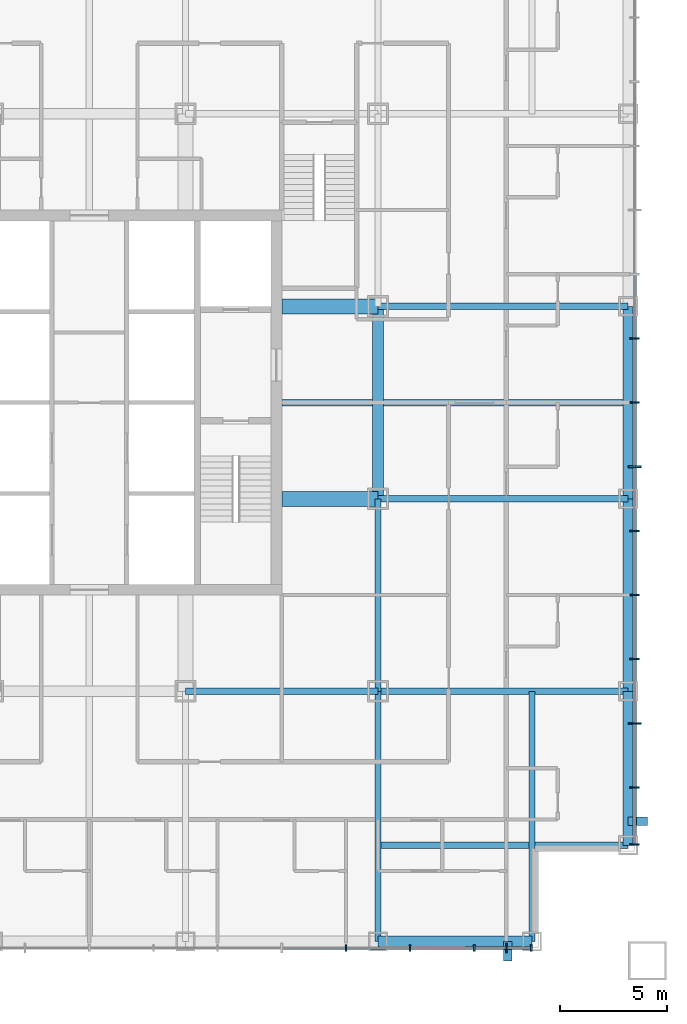
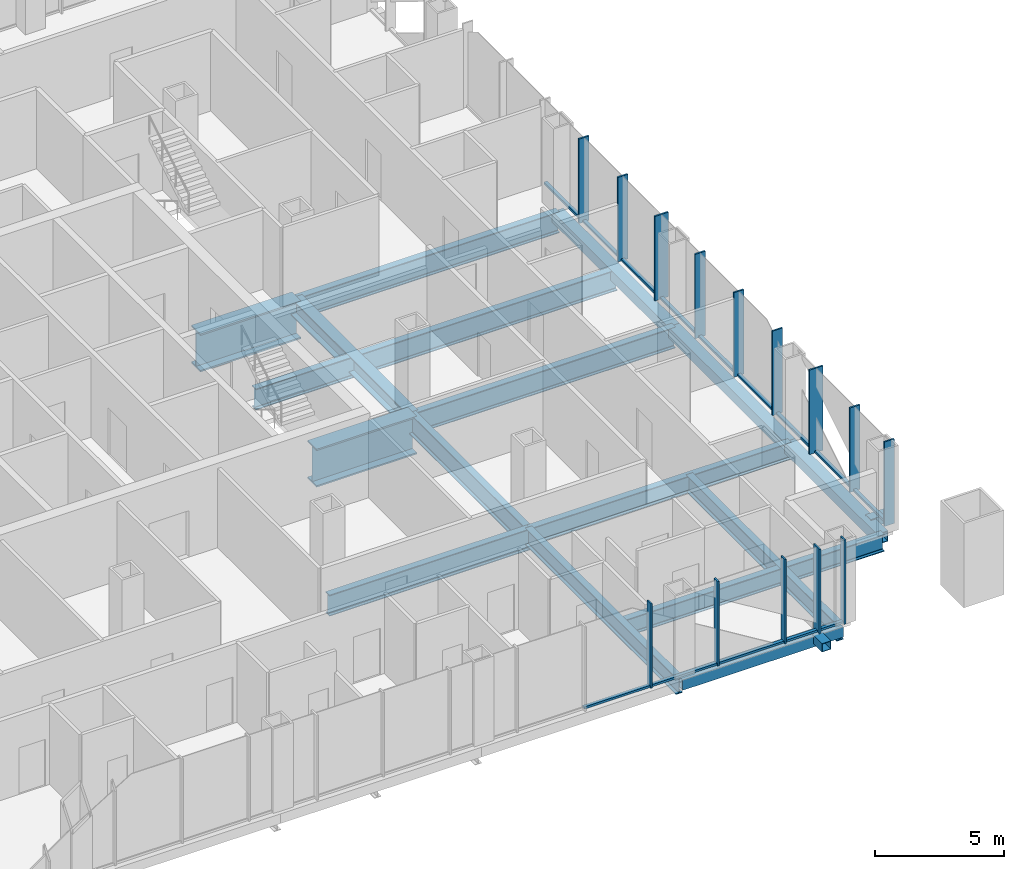
# One storey, part 3 of 13: 30 members, 16 beams, 2 elements without a shape of their own.
"""IFC4 building model written with IfcOpenShell, lengths in metres."""

from ifc_helpers import new_model, si_unit, direction, frame, origin, origin_2d, place, context, subcontext, project, spatial, rectangle, hollow_rectangle, i_section, extrude, material, layer, layer_set, material_profile, profile_set, type_object, element, aggregate, save


model = new_model("IFC4")

# Units and contexts
model_context = context("Model", 3, precision=1e-05, world=origin(), true_north=direction((0.0, 1.0)))
body_context = subcontext(model_context, "Body", "Model", "MODEL_VIEW")
ifc_project = project(units=[si_unit("LENGTHUNIT", "METRE"), si_unit("AREAUNIT", "SQUARE_METRE"), si_unit("VOLUMEUNIT", "CUBIC_METRE"), si_unit("PLANEANGLEUNIT", "RADIAN"), si_unit("MASSUNIT", "GRAM", prefix="KILO")], contexts=[model_context])

# Site, building, storey
site_placement = place(None, origin())
site = spatial("IfcSite", under=ifc_project, at=site_placement, CompositionType="ELEMENT")
building_placement = place(site_placement, origin())
building = spatial("IfcBuilding", under=site, at=building_placement, Name="Malebo Sky Hospital", CompositionType="ELEMENT")
storey_placement = place(building_placement, frame((0.0, 0.0, 35.0)))
storey = spatial("IfcBuildingStorey", under=building, at=storey_placement, Name="L07", CompositionType="ELEMENT", Elevation=35.0)

# Curtain wall, members
ifc_material_1 = material(Name="Anodised aluminium, natural silver", Category="aluminium")
ifc_layer_1 = layer(ifc_material_1, 0.25)
ifc_layer_set_1 = layer_set([ifc_layer_1], Name="WARD CURTAIN WALL NORTH AND SOUTH")
curtain_wall_type_1 = type_object("IfcCurtainWallType", Name="WARD CURTAIN WALL NORTH AND SOUTH", PredefinedType="NOTDEFINED", material=ifc_layer_set_1)
curtain_wall_1_placement = place(storey_placement, origin())
curtain_wall_1 = element("IfcCurtainWall", 1, at=curtain_wall_1_placement, inside=storey, type_object=curtain_wall_type_1, Name="NS curtain wall S", PredefinedType="NOTDEFINED")
ifc_material_profile_1 = material_profile(ifc_material_1, rectangle(XDim=0.14990234375, YDim=0.10009765625, at=origin_2d()), Name="ALUMINIUM TRANSOM 150x100")
ifc_profile_set_1 = profile_set([ifc_material_profile_1], Name="Anodised aluminium, natural silver")
member_type_1 = type_object("IfcMemberType", Name="ALUMINIUM TRANSOM 150x100", PredefinedType="USERDEFINED", material=ifc_profile_set_1)
member_1_placement = place(storey_placement, frame((80.625, 36.5, 0.050048828125), z_axis=(-1.0, 0.0, 0.0), x_axis=(0.0, -1.0, 0.0)))
member_1 = element("IfcMember", 2, at=member_1_placement, type_object=member_type_1, Name="Transom 1", ObjectType="TRANSOM", PredefinedType="USERDEFINED", context=body_context, shape_type="SweptSolid", body=[
    extrude(rectangle(XDim=0.14990234375, YDim=0.10009765625, at=origin_2d()), origin(), (0.0, 0.0, 1.0), 1.08740234375),
])
member_2_placement = place(storey_placement, frame((79.46240234375, 36.5, 0.050048828125), z_axis=(-1.0, 0.0, 0.0), x_axis=(0.0, -1.0, 0.0)))
member_2 = element("IfcMember", 3, at=member_2_placement, type_object=member_type_1, Name="Transom 2", ObjectType="TRANSOM", PredefinedType="USERDEFINED", context=body_context, shape_type="SweptSolid", body=[
    extrude(rectangle(XDim=0.14990234375, YDim=0.10009765625, at=origin_2d()), origin(), (0.0, 0.0, 1.0), 1.4248046875),
])
member_3_placement = place(storey_placement, frame((77.96240234375, 36.5, 0.050048828125), z_axis=(-1.0, 0.0, 0.0), x_axis=(0.0, -1.0, 0.0)))
member_3 = element("IfcMember", 4, at=member_3_placement, type_object=member_type_1, Name="Transom 3", ObjectType="TRANSOM", PredefinedType="USERDEFINED", context=body_context, shape_type="SweptSolid", body=[
    extrude(rectangle(XDim=0.14990234375, YDim=0.10009765625, at=origin_2d()), origin(), (0.0, 0.0, 1.0), 2.9248046875),
])
member_4_placement = place(storey_placement, frame((74.96240234375, 36.5, 0.050048828125), z_axis=(-1.0, 0.0, 0.0), x_axis=(0.0, -1.0, 0.0)))
member_4 = element("IfcMember", 5, at=member_4_placement, type_object=member_type_1, Name="Transom 4", ObjectType="TRANSOM", PredefinedType="USERDEFINED", context=body_context, shape_type="SweptSolid", body=[
    extrude(rectangle(XDim=0.14990234375, YDim=0.10009765625, at=origin_2d()), origin(), (0.0, 0.0, 1.0), 2.9248046875),
])
member_5_placement = place(storey_placement, frame((71.96240234375, 36.5, 0.050048828125), z_axis=(-1.0, 0.0, 0.0), x_axis=(0.0, -1.0, 0.0)))
member_5 = element("IfcMember", 6, at=member_5_placement, type_object=member_type_1, Name="Transom 5", ObjectType="TRANSOM", PredefinedType="USERDEFINED", context=body_context, shape_type="SweptSolid", body=[
    extrude(rectangle(XDim=0.14990234375, YDim=0.10009765625, at=origin_2d()), origin(), (0.0, 0.0, 1.0), 2.9248046875),
])

ifc_layer_2 = layer(ifc_material_1, 0.25)
ifc_layer_set_2 = layer_set([ifc_layer_2], Name="WARD CURTAIN WALL EAST AND WEST")
curtain_wall_type_2 = type_object("IfcCurtainWallType", Name="WARD CURTAIN WALL EAST AND WEST", PredefinedType="NOTDEFINED", material=ifc_layer_set_2)
curtain_wall_2_placement = place(storey_placement, origin())
curtain_wall_2 = element("IfcCurtainWall", 7, at=curtain_wall_2_placement, inside=storey, type_object=curtain_wall_type_2, Name="EW curtain wall E", PredefinedType="NOTDEFINED")
member_6_placement = place(storey_placement, frame((85.5, 67.96240234375, 0.050048828125), z_axis=(0.0, -1.0, 0.0), x_axis=(1.0, 0.0, 0.0)))
member_6 = element("IfcMember", 8, at=member_6_placement, type_object=member_type_1, Name="Transom 7", ObjectType="TRANSOM", PredefinedType="USERDEFINED", context=body_context, shape_type="SweptSolid", body=[
    extrude(rectangle(XDim=0.14990234375, YDim=0.10009765625, at=origin_2d()), origin(), (0.0, 0.0, 1.0), 2.9248046875),
])
member_7_placement = place(storey_placement, frame((85.5, 64.96240234375, 0.050048828125), z_axis=(0.0, -1.0, 0.0), x_axis=(1.0, 0.0, 0.0)))
member_7 = element("IfcMember", 9, at=member_7_placement, type_object=member_type_1, Name="Transom 8", ObjectType="TRANSOM", PredefinedType="USERDEFINED", context=body_context, shape_type="SweptSolid", body=[
    extrude(rectangle(XDim=0.14990234375, YDim=0.10009765625, at=origin_2d()), origin(), (0.0, 0.0, 1.0), 2.9248046875),
])
member_8_placement = place(storey_placement, frame((85.5, 61.96240234375, 0.050048828125), z_axis=(0.0, -1.0, 0.0), x_axis=(1.0, 0.0, 0.0)))
member_8 = element("IfcMember", 10, at=member_8_placement, type_object=member_type_1, Name="Transom 9", ObjectType="TRANSOM", PredefinedType="USERDEFINED", context=body_context, shape_type="SweptSolid", body=[
    extrude(rectangle(XDim=0.14990234375, YDim=0.10009765625, at=origin_2d()), origin(), (0.0, 0.0, 1.0), 2.9248046875),
])
member_9_placement = place(storey_placement, frame((85.5, 58.96240234375, 0.050048828125), z_axis=(0.0, -1.0, 0.0), x_axis=(1.0, 0.0, 0.0)))
member_9 = element("IfcMember", 11, at=member_9_placement, type_object=member_type_1, Name="Transom 10", ObjectType="TRANSOM", PredefinedType="USERDEFINED", context=body_context, shape_type="SweptSolid", body=[
    extrude(rectangle(XDim=0.14990234375, YDim=0.10009765625, at=origin_2d()), origin(), (0.0, 0.0, 1.0), 2.9248046875),
])
member_10_placement = place(storey_placement, frame((85.5, 55.96240234375, 0.050048828125), z_axis=(0.0, -1.0, 0.0), x_axis=(1.0, 0.0, 0.0)))
member_10 = element("IfcMember", 12, at=member_10_placement, type_object=member_type_1, Name="Transom 11", ObjectType="TRANSOM", PredefinedType="USERDEFINED", context=body_context, shape_type="SweptSolid", body=[
    extrude(rectangle(XDim=0.14990234375, YDim=0.10009765625, at=origin_2d()), origin(), (0.0, 0.0, 1.0), 2.9248046875),
])
member_11_placement = place(storey_placement, frame((85.5, 52.96240234375, 0.050048828125), z_axis=(0.0, -1.0, 0.0), x_axis=(1.0, 0.0, 0.0)))
member_11 = element("IfcMember", 13, at=member_11_placement, type_object=member_type_1, Name="Transom 12", ObjectType="TRANSOM", PredefinedType="USERDEFINED", context=body_context, shape_type="SweptSolid", body=[
    extrude(rectangle(XDim=0.14990234375, YDim=0.10009765625, at=origin_2d()), origin(), (0.0, 0.0, 1.0), 2.9248046875),
])
member_12_placement = place(storey_placement, frame((85.5, 49.96240234375, 0.050048828125), z_axis=(0.0, -1.0, 0.0), x_axis=(1.0, 0.0, 0.0)))
member_12 = element("IfcMember", 14, at=member_12_placement, type_object=member_type_1, Name="Transom 13", ObjectType="TRANSOM", PredefinedType="USERDEFINED", context=body_context, shape_type="SweptSolid", body=[
    extrude(rectangle(XDim=0.14990234375, YDim=0.10009765625, at=origin_2d()), origin(), (0.0, 0.0, 1.0), 2.9248046875),
])
member_13_placement = place(storey_placement, frame((85.5, 46.96240234375, 0.050048828125), z_axis=(0.0, -1.0, 0.0), x_axis=(1.0, 0.0, 0.0)))
member_13 = element("IfcMember", 15, at=member_13_placement, type_object=member_type_1, Name="Transom 14", ObjectType="TRANSOM", PredefinedType="USERDEFINED", context=body_context, shape_type="SweptSolid", body=[
    extrude(rectangle(XDim=0.14990234375, YDim=0.10009765625, at=origin_2d()), origin(), (0.0, 0.0, 1.0), 2.9248046875),
])
member_14_placement = place(storey_placement, frame((85.5, 43.96240234375, 0.050048828125), z_axis=(0.0, -1.0, 0.0), x_axis=(1.0, 0.0, 0.0)))
member_14 = element("IfcMember", 16, at=member_14_placement, type_object=member_type_1, Name="Transom 15", ObjectType="TRANSOM", PredefinedType="USERDEFINED", context=body_context, shape_type="SweptSolid", body=[
    extrude(rectangle(XDim=0.14990234375, YDim=0.10009765625, at=origin_2d()), origin(), (0.0, 0.0, 1.0), 2.58740234375),
])

# Members
ifc_material_2 = material(Name="Steel S355", Category="steel")
ifc_material_profile_2 = material_profile(ifc_material_2, hollow_rectangle(XDim=0.39990234375, YDim=0.39990234375, WallThickness=0.02001953125, at=origin_2d()), Name="SHS 400x20")
ifc_profile_set_2 = profile_set([ifc_material_profile_2], Name="Steel S355")
member_type_2 = type_object("IfcMemberType", Name="BRACE STRUT SHS 400x20", PredefinedType="STRUT", material=ifc_profile_set_2)
for number, where, z_axis, x_axis, name in (
    (17, (79.574951171875, 35.89990234375, -0.39990234375), (0.0, 1.0, 0.0), (-1.0, 0.0, 0.0), "Brace strut AS2 L07"),
    (18, (86.10009765625, 42.425048828125, -0.39990234375), (-1.0, 0.0, 0.0), (0.0, -1.0, 0.0), "Brace strut AE1 L07"),
):
    element("IfcMember", number, at=place(storey_placement, frame(where, z_axis=z_axis, x_axis=x_axis)), inside=storey, type_object=member_type_2, Name=name, PredefinedType="STRUT", context=body_context, shape_type="SweptSolid", body=[
        extrude(hollow_rectangle(XDim=0.39990234375, YDim=0.39990234375, WallThickness=0.02001953125, at=origin_2d()), origin(), (0.0, 0.0, 1.0), 0.900146484375),
    ])

# Member
ifc_material_profile_3 = material_profile(ifc_material_1, rectangle(XDim=0.074951171875, YDim=0.300048828125, at=origin_2d()), Name="CW1 ALUMINIUM FIN MULLION 75x300")
ifc_profile_set_3 = profile_set([ifc_material_profile_3], Name="Anodised aluminium, natural silver")
member_type_3 = type_object("IfcMemberType", Name="CW1 ALUMINIUM FIN MULLION 75x300", PredefinedType="MULLION", material=ifc_profile_set_3)
member_15_placement = place(storey_placement, frame((80.66259765625, 36.5, 0.0), z_axis=(0.0, 0.0, 1.0), x_axis=(-1.0, 0.0, 0.0)))
member_15 = element("IfcMember", 19, at=member_15_placement, type_object=member_type_3, Name="Fin mullion 1", PredefinedType="MULLION", context=body_context, shape_type="SweptSolid", body=[
    extrude(rectangle(XDim=0.074951171875, YDim=0.300048828125, at=origin_2d()), origin(), (0.0, 0.0, 1.0), 4.0),
])

member_16_placement = place(storey_placement, frame((78.0, 36.5, 0.0), z_axis=(0.0, 0.0, 1.0), x_axis=(-1.0, 0.0, 0.0)))
member_16 = element("IfcMember", 20, at=member_16_placement, type_object=member_type_3, Name="Fin mullion 3", PredefinedType="MULLION", context=body_context, shape_type="SweptSolid", body=[
    extrude(rectangle(XDim=0.074951171875, YDim=0.300048828125, at=origin_2d()), origin(), (0.0, 0.0, 1.0), 4.0),
])

member_17_placement = place(storey_placement, frame((75.0, 36.5, 0.0), z_axis=(0.0, 0.0, 1.0), x_axis=(-1.0, 0.0, 0.0)))
member_17 = element("IfcMember", 21, at=member_17_placement, type_object=member_type_3, Name="Fin mullion 4", PredefinedType="MULLION", context=body_context, shape_type="SweptSolid", body=[
    extrude(rectangle(XDim=0.074951171875, YDim=0.300048828125, at=origin_2d()), origin(), (0.0, 0.0, 1.0), 4.0),
])

member_18_placement = place(storey_placement, frame((72.0, 36.5, 0.0), z_axis=(0.0, 0.0, 1.0), x_axis=(-1.0, 0.0, 0.0)))
member_18 = element("IfcMember", 22, at=member_18_placement, type_object=member_type_3, Name="Fin mullion 5", PredefinedType="MULLION", context=body_context, shape_type="SweptSolid", body=[
    extrude(rectangle(XDim=0.074951171875, YDim=0.300048828125, at=origin_2d()), origin(), (0.0, 0.0, 1.0), 4.0),
])

ifc_material_profile_4 = material_profile(ifc_material_1, rectangle(XDim=0.074951171875, YDim=0.449951171875, at=origin_2d()), Name="CW1 ALUMINIUM FIN MULLION 75x450")
ifc_profile_set_4 = profile_set([ifc_material_profile_4], Name="Anodised aluminium, natural silver")
member_type_4 = type_object("IfcMemberType", Name="CW1 ALUMINIUM FIN MULLION 75x450", PredefinedType="MULLION", material=ifc_profile_set_4)
member_19_placement = place(storey_placement, frame((79.5, 36.5, 0.0), z_axis=(0.0, 0.0, 1.0), x_axis=(-1.0, 0.0, 0.0)))
member_19 = element("IfcMember", 23, at=member_19_placement, type_object=member_type_4, Name="Fin mullion 2", PredefinedType="MULLION", context=body_context, shape_type="SweptSolid", body=[
    extrude(rectangle(XDim=0.074951171875, YDim=0.449951171875, at=origin_2d()), origin(), (0.0, 0.0, 1.0), 4.0),
])

aggregate(curtain_wall_1, [member_15, member_19, member_16, member_17, member_18, member_1, member_2, member_3, member_4, member_5])

ifc_material_profile_5 = material_profile(ifc_material_1, rectangle(XDim=0.074951171875, YDim=0.449951171875, at=origin_2d()), Name="CW2 ALUMINIUM FIN MULLION 75x450")
ifc_profile_set_5 = profile_set([ifc_material_profile_5], Name="Anodised aluminium, natural silver")
member_type_5 = type_object("IfcMemberType", Name="CW2 ALUMINIUM FIN MULLION 75x450", PredefinedType="MULLION", material=ifc_profile_set_5)
member_20_placement = place(storey_placement, frame((85.5, 65.0, 0.0), z_axis=(0.0, 0.0, 1.0), x_axis=(0.0, -1.0, 0.0)))
member_20 = element("IfcMember", 24, at=member_20_placement, type_object=member_type_5, Name="Fin mullion 8", PredefinedType="MULLION", context=body_context, shape_type="SweptSolid", body=[
    extrude(rectangle(XDim=0.074951171875, YDim=0.449951171875, at=origin_2d()), origin(), (0.0, 0.0, 1.0), 4.0),
])

member_21_placement = place(storey_placement, frame((85.5, 62.0, 0.0), z_axis=(0.0, 0.0, 1.0), x_axis=(0.0, -1.0, 0.0)))
member_21 = element("IfcMember", 25, at=member_21_placement, type_object=member_type_5, Name="Fin mullion 9", PredefinedType="MULLION", context=body_context, shape_type="SweptSolid", body=[
    extrude(rectangle(XDim=0.074951171875, YDim=0.449951171875, at=origin_2d()), origin(), (0.0, 0.0, 1.0), 4.0),
])

member_22_placement = place(storey_placement, frame((85.5, 56.0, 0.0), z_axis=(0.0, 0.0, 1.0), x_axis=(0.0, -1.0, 0.0)))
member_22 = element("IfcMember", 26, at=member_22_placement, type_object=member_type_5, Name="Fin mullion 11", PredefinedType="MULLION", context=body_context, shape_type="SweptSolid", body=[
    extrude(rectangle(XDim=0.074951171875, YDim=0.449951171875, at=origin_2d()), origin(), (0.0, 0.0, 1.0), 4.0),
])

member_23_placement = place(storey_placement, frame((85.5, 53.0, 0.0), z_axis=(0.0, 0.0, 1.0), x_axis=(0.0, -1.0, 0.0)))
member_23 = element("IfcMember", 27, at=member_23_placement, type_object=member_type_5, Name="Fin mullion 12", PredefinedType="MULLION", context=body_context, shape_type="SweptSolid", body=[
    extrude(rectangle(XDim=0.074951171875, YDim=0.449951171875, at=origin_2d()), origin(), (0.0, 0.0, 1.0), 4.0),
])

member_24_placement = place(storey_placement, frame((85.5, 50.0, 0.0), z_axis=(0.0, 0.0, 1.0), x_axis=(0.0, -1.0, 0.0)))
member_24 = element("IfcMember", 28, at=member_24_placement, type_object=member_type_5, Name="Fin mullion 13", PredefinedType="MULLION", context=body_context, shape_type="SweptSolid", body=[
    extrude(rectangle(XDim=0.074951171875, YDim=0.449951171875, at=origin_2d()), origin(), (0.0, 0.0, 1.0), 4.0),
])

member_25_placement = place(storey_placement, frame((85.5, 44.0, 0.0), z_axis=(0.0, 0.0, 1.0), x_axis=(0.0, -1.0, 0.0)))
member_25 = element("IfcMember", 29, at=member_25_placement, type_object=member_type_5, Name="Fin mullion 15", PredefinedType="MULLION", context=body_context, shape_type="SweptSolid", body=[
    extrude(rectangle(XDim=0.074951171875, YDim=0.449951171875, at=origin_2d()), origin(), (0.0, 0.0, 1.0), 4.0),
])

member_26_placement = place(storey_placement, frame((85.5, 41.33740234375, 0.0), z_axis=(0.0, 0.0, 1.0), x_axis=(0.0, -1.0, 0.0)))
member_26 = element("IfcMember", 30, at=member_26_placement, type_object=member_type_5, Name="Fin mullion 16", PredefinedType="MULLION", context=body_context, shape_type="SweptSolid", body=[
    extrude(rectangle(XDim=0.074951171875, YDim=0.449951171875, at=origin_2d()), origin(), (0.0, 0.0, 1.0), 4.0),
])

ifc_material_profile_6 = material_profile(ifc_material_1, rectangle(XDim=0.074951171875, YDim=0.60009765625, at=origin_2d()), Name="CW2 ALUMINIUM FIN MULLION 75x600")
ifc_profile_set_6 = profile_set([ifc_material_profile_6], Name="Anodised aluminium, natural silver")
member_type_6 = type_object("IfcMemberType", Name="CW2 ALUMINIUM FIN MULLION 75x600", PredefinedType="MULLION", material=ifc_profile_set_6)
member_27_placement = place(storey_placement, frame((85.5, 59.0, 0.0), z_axis=(0.0, 0.0, 1.0), x_axis=(0.0, -1.0, 0.0)))
member_27 = element("IfcMember", 31, at=member_27_placement, type_object=member_type_6, Name="Fin mullion 10", PredefinedType="MULLION", context=body_context, shape_type="SweptSolid", body=[
    extrude(rectangle(XDim=0.074951171875, YDim=0.60009765625, at=origin_2d()), origin(), (0.0, 0.0, 1.0), 4.0),
])

member_28_placement = place(storey_placement, frame((85.5, 47.0, 0.0), z_axis=(0.0, 0.0, 1.0), x_axis=(0.0, -1.0, 0.0)))
member_28 = element("IfcMember", 32, at=member_28_placement, type_object=member_type_6, Name="Fin mullion 14", PredefinedType="MULLION", context=body_context, shape_type="SweptSolid", body=[
    extrude(rectangle(XDim=0.074951171875, YDim=0.60009765625, at=origin_2d()), origin(), (0.0, 0.0, 1.0), 4.0),
])

aggregate(curtain_wall_2, [member_20, member_21, member_27, member_22, member_23, member_24, member_28, member_25, member_26, member_6, member_7, member_8, member_9, member_10, member_11, member_12, member_13, member_14])

# Beams
ifc_material_3 = material(Name="Steel S460", Category="steel")
ifc_material_profile_7 = material_profile(ifc_material_3, hollow_rectangle(XDim=0.5, YDim=0.5, WallThickness=0.030029296875, at=origin_2d()), Name="BOX 500x500x30")
ifc_profile_set_7 = profile_set([ifc_material_profile_7], Name="Steel S460")
beam_type_1 = type_object("IfcBeamType", Name="EDGE BEAM BOX 500x500x30", PredefinedType="BEAM", material=ifc_profile_set_7)
beam_1_placement = place(storey_placement, frame((85.199951171875, 41.300048828125, -0.5), z_axis=(0.0, 1.0, 0.0), x_axis=(-1.0, 0.0, 0.0)))
element("IfcBeam", 33, at=beam_1_placement, inside=storey, type_object=beam_type_1, Name="Beam 029 L07", PredefinedType="BEAM", context=body_context, shape_type="SweptSolid", body=[
    extrude(hollow_rectangle(XDim=0.5, YDim=0.5, WallThickness=0.030029296875, at=origin_2d()), origin(), (0.0, 0.0, 1.0), 7.199951171875),
])
for number, where, z_axis, x_axis, name in (
    (34, (85.199951171875, 48.5, -0.5), (0.0, 1.0, 0.0), (-1.0, 0.0, 0.0), "Beam 030 L07"),
    (35, (85.199951171875, 57.5, -0.5), (0.0, 1.0, 0.0), (-1.0, 0.0, 0.0), "Beam 031 L07"),
):
    element("IfcBeam", number, at=place(storey_placement, frame(where, z_axis=z_axis, x_axis=x_axis)), inside=storey, type_object=beam_type_1, Name=name, PredefinedType="BEAM", context=body_context, shape_type="SweptSolid", body=[
        extrude(hollow_rectangle(XDim=0.5, YDim=0.5, WallThickness=0.030029296875, at=origin_2d()), origin(), (0.0, 0.0, 1.0), 9.0),
    ])
beam_2_placement = place(storey_placement, frame((73.5, 36.800048828125, -0.5), z_axis=(1.0, 0.0, 0.0), x_axis=(0.0, 1.0, 0.0)))
element("IfcBeam", 36, at=beam_2_placement, inside=storey, type_object=beam_type_1, Name="Beam 038 L07", PredefinedType="BEAM", context=body_context, shape_type="SweptSolid", body=[
    extrude(hollow_rectangle(XDim=0.5, YDim=0.5, WallThickness=0.030029296875, at=origin_2d()), origin(), (0.0, 0.0, 1.0), 7.199951171875),
])
ifc_material_profile_8 = material_profile(ifc_material_2, i_section(OverallWidth=0.300048828125, OverallDepth=1.0, WebThickness=0.01904296875, FlangeThickness=0.035888671875, FilletRadius=0.030029296875, at=origin_2d()), Name="HEB 1000")
ifc_profile_set_8 = profile_set([ifc_material_profile_8], Name="Steel S355")
beam_type_2 = type_object("IfcBeamType", Name="FLOOR BEAM HEB 1000", PredefinedType="BEAM", material=ifc_profile_set_8)
for number, where, z_axis, x_axis, name in (
    (37, (73.5, 48.5, -0.75), (0.0, 1.0, 0.0), (-1.0, 0.0, 0.0), "Beam 023 L07"),
    (38, (64.5, 48.5, -0.75), (1.0, 0.0, 0.0), (0.0, 1.0, 0.0), "Beam 044 L07"),
):
    element("IfcBeam", number, at=place(storey_placement, frame(where, z_axis=z_axis, x_axis=x_axis)), inside=storey, type_object=beam_type_2, Name=name, PredefinedType="BEAM", context=body_context, shape_type="SweptSolid", body=[
        extrude(i_section(OverallWidth=0.300048828125, OverallDepth=1.0, WebThickness=0.01904296875, FlangeThickness=0.035888671875, FilletRadius=0.030029296875, at=origin_2d()), origin(), (0.0, 0.0, 1.0), 9.0),
    ])
beam_3_placement = place(storey_placement, frame((73.5, 57.5, -0.75), z_axis=(1.0, 0.0, 0.0), x_axis=(0.0, 1.0, 0.0)))
element("IfcBeam", 39, at=beam_3_placement, inside=storey, type_object=beam_type_2, Name="Beam 049 L07", PredefinedType="BEAM", context=body_context, shape_type="SweptSolid", body=[
    extrude(i_section(OverallWidth=0.300048828125, OverallDepth=1.0, WebThickness=0.01904296875, FlangeThickness=0.035888671875, FilletRadius=0.030029296875, at=origin_2d()), origin(), (0.0, 0.0, 1.0), 11.699951171875),
])
beam_4_placement = place(storey_placement, frame((69.0, 62.0, -0.75), z_axis=(1.0, 0.0, 0.0), x_axis=(0.0, 1.0, 0.0)))
element("IfcBeam", 40, at=beam_4_placement, inside=storey, type_object=beam_type_2, Name="Beam 051 L07", PredefinedType="BEAM", context=body_context, shape_type="SweptSolid", body=[
    extrude(i_section(OverallWidth=0.300048828125, OverallDepth=1.0, WebThickness=0.01904296875, FlangeThickness=0.035888671875, FilletRadius=0.030029296875, at=origin_2d()), origin(), (0.0, 0.0, 1.0), 16.199951171875),
])
beam_5_placement = place(storey_placement, frame((73.5, 66.5, -0.75), z_axis=(1.0, 0.0, 0.0), x_axis=(0.0, 1.0, 0.0)))
element("IfcBeam", 41, at=beam_5_placement, inside=storey, type_object=beam_type_2, Name="Beam 055 L07", PredefinedType="BEAM", context=body_context, shape_type="SweptSolid", body=[
    extrude(i_section(OverallWidth=0.300048828125, OverallDepth=1.0, WebThickness=0.01904296875, FlangeThickness=0.035888671875, FilletRadius=0.030029296875, at=origin_2d()), origin(), (0.0, 0.0, 1.0), 11.699951171875),
])
ifc_material_profile_9 = material_profile(ifc_material_2, i_section(OverallWidth=0.300048828125, OverallDepth=0.800048828125, WebThickness=0.017578125, FlangeThickness=0.032958984375, FilletRadius=0.030029296875, at=origin_2d()), Name="HEB 800")
ifc_profile_set_9 = profile_set([ifc_material_profile_9], Name="Steel S355")
beam_type_3 = type_object("IfcBeamType", Name="FLOOR BEAM HEB 800", PredefinedType="BEAM", material=ifc_profile_set_9)
for number, where, z_axis, x_axis, name in (
    (42, (80.699951171875, 36.800048828125, -0.64990234375), (0.0, 1.0, 0.0), (-1.0, 0.0, 0.0), "Beam 027 L07"),
    (43, (73.5, 41.300048828125, -0.64990234375), (1.0, 0.0, 0.0), (0.0, 1.0, 0.0), "Beam 040 L07"),
):
    element("IfcBeam", number, at=place(storey_placement, frame(where, z_axis=z_axis, x_axis=x_axis)), inside=storey, type_object=beam_type_3, Name=name, PredefinedType="BEAM", context=body_context, shape_type="SweptSolid", body=[
        extrude(i_section(OverallWidth=0.300048828125, OverallDepth=0.800048828125, WebThickness=0.017578125, FlangeThickness=0.032958984375, FilletRadius=0.030029296875, at=origin_2d()), origin(), (0.0, 0.0, 1.0), 11.699951171875),
    ])
ifc_material_profile_10 = material_profile(ifc_material_2, i_section(OverallWidth=0.699951171875, OverallDepth=1.800048828125, WebThickness=0.034912109375, FlangeThickness=0.070068359375, at=origin_2d()), Name="PG 1800x700x35x70")
ifc_profile_set_10 = profile_set([ifc_material_profile_10], Name="Steel S355")
beam_type_4 = type_object("IfcBeamType", Name="FLOOR BEAM PG 1800x700x35x70", PredefinedType="BEAM", material=ifc_profile_set_10)
for number, where, z_axis, x_axis, name in (
    (44, (69.0, 57.5, -1.14990234375), (1.0, 0.0, 0.0), (0.0, 1.0, 0.0), "Beam 048 L07"),
    (45, (69.0, 66.5, -1.14990234375), (1.0, 0.0, 0.0), (0.0, 1.0, 0.0), "Beam 054 L07"),
):
    element("IfcBeam", number, at=place(storey_placement, frame(where, z_axis=z_axis, x_axis=x_axis)), inside=storey, type_object=beam_type_4, Name=name, PredefinedType="BEAM", context=body_context, shape_type="SweptSolid", body=[
        extrude(i_section(OverallWidth=0.699951171875, OverallDepth=1.800048828125, WebThickness=0.034912109375, FlangeThickness=0.070068359375, at=origin_2d()), origin(), (0.0, 0.0, 1.0), 4.5),
    ])
ifc_material_profile_11 = material_profile(ifc_material_2, i_section(OverallWidth=0.300048828125, OverallDepth=0.800048828125, WebThickness=0.017578125, FlangeThickness=0.032958984375, FilletRadius=0.030029296875, at=origin_2d()), Name="HEB 800")
ifc_profile_set_11 = profile_set([ifc_material_profile_11], Name="Steel S355")
beam_type_5 = type_object("IfcBeamType", Name="FLOOR GIRDER HEB 800", PredefinedType="BEAM", material=ifc_profile_set_11)
for number, where, z_axis, x_axis, name in (
    (46, (73.5, 36.800048828125, -0.64990234375), (0.0, 1.0, 0.0), (-1.0, 0.0, 0.0), "Beam 022 L07"),
    (47, (73.5, 48.5, -0.64990234375), (1.0, 0.0, 0.0), (0.0, 1.0, 0.0), "Beam 045 L07"),
):
    element("IfcBeam", number, at=place(storey_placement, frame(where, z_axis=z_axis, x_axis=x_axis)), inside=storey, type_object=beam_type_5, Name=name, PredefinedType="BEAM", context=body_context, shape_type="SweptSolid", body=[
        extrude(i_section(OverallWidth=0.300048828125, OverallDepth=0.800048828125, WebThickness=0.017578125, FlangeThickness=0.032958984375, FilletRadius=0.030029296875, at=origin_2d()), origin(), (0.0, 0.0, 1.0), 11.699951171875),
    ])
ifc_material_profile_12 = material_profile(ifc_material_2, i_section(OverallWidth=0.5, OverallDepth=0.800048828125, WebThickness=0.030029296875, FlangeThickness=0.050048828125, at=origin_2d()), Name="PG 800x500x30x50")
ifc_profile_set_12 = profile_set([ifc_material_profile_12], Name="Steel S355")
beam_type_6 = type_object("IfcBeamType", Name="RING GIRDER PG 800x500x30x50", PredefinedType="BEAM", material=ifc_profile_set_12)
beam_6_placement = place(storey_placement, frame((73.5, 57.5, -0.64990234375), z_axis=(0.0, 1.0, 0.0), x_axis=(-1.0, 0.0, 0.0)))
element("IfcBeam", 48, at=beam_6_placement, inside=storey, type_object=beam_type_6, Name="Beam 024 L07", PredefinedType="BEAM", context=body_context, shape_type="SweptSolid", body=[
    extrude(i_section(OverallWidth=0.5, OverallDepth=0.800048828125, WebThickness=0.030029296875, FlangeThickness=0.050048828125, at=origin_2d()), origin(), (0.0, 0.0, 1.0), 9.0),
])

save(model, "model.ifc")
